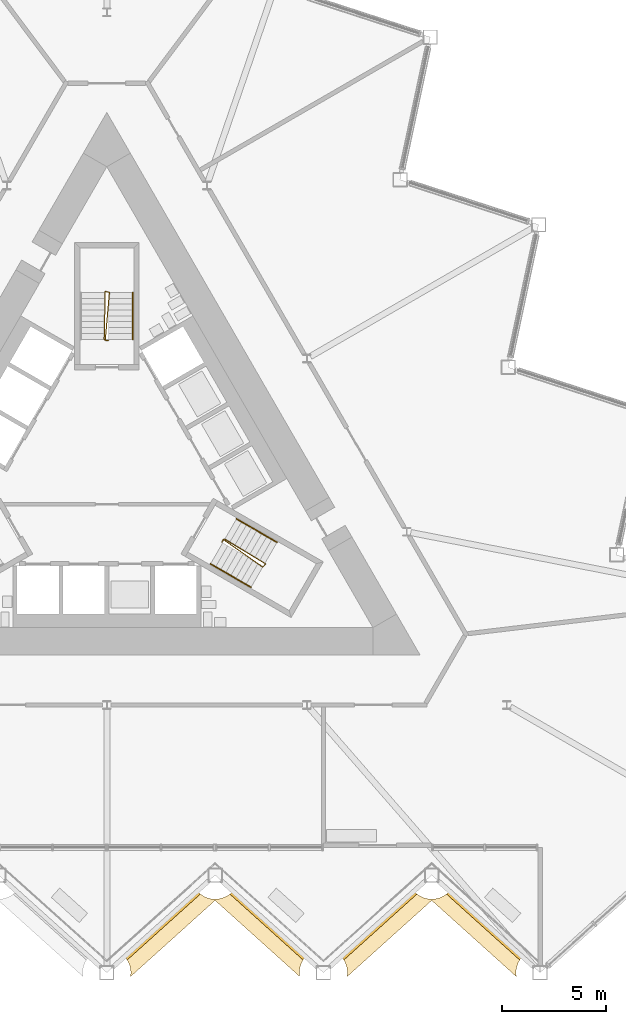
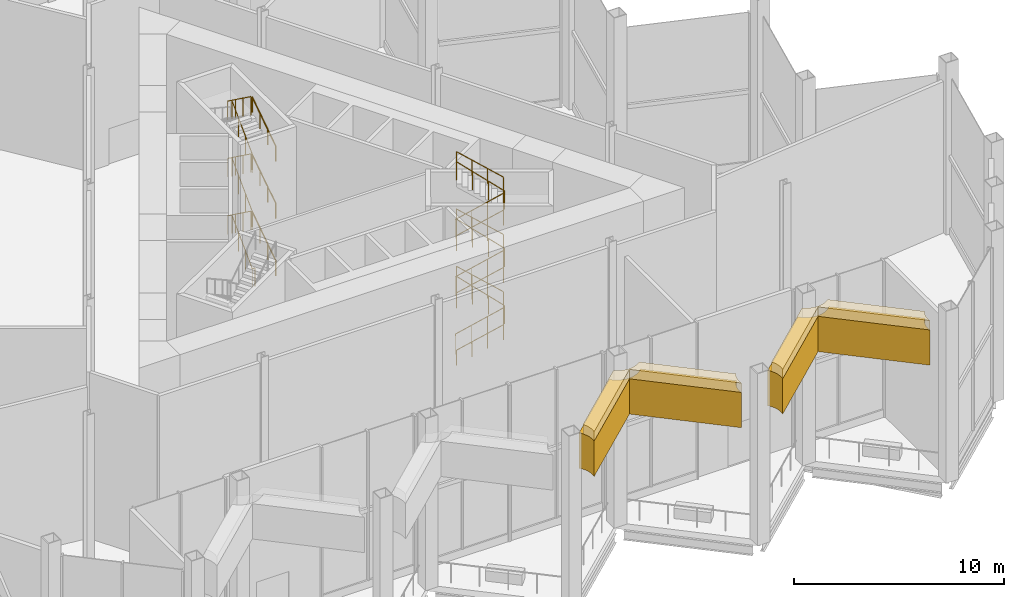
# One storey, part 15 of 17: 11 railings, 4 coverings.
"""IFC4 building model written with IfcOpenShell, lengths in metres."""

from ifc_helpers import new_model, si_unit, direction, frame, origin, origin_2d, place, context, subcontext, project, spatial, polyline, circle, outline, extrude, material, layer, layer_set, type_object, element, save


model = new_model("IFC4")

# Units and contexts
model_context = context("Model", 3, precision=1e-05, world=origin(), true_north=direction((0.0, 1.0)))
body_context = subcontext(model_context, "Body", "Model", "MODEL_VIEW")
ifc_project = project(units=[si_unit("LENGTHUNIT", "METRE"), si_unit("AREAUNIT", "SQUARE_METRE"), si_unit("VOLUMEUNIT", "CUBIC_METRE"), si_unit("PLANEANGLEUNIT", "RADIAN"), si_unit("MASSUNIT", "GRAM", prefix="KILO")], contexts=[model_context])

# Site, building, storey
site_placement = place(None, origin())
site = spatial("IfcSite", under=ifc_project, at=site_placement, CompositionType="ELEMENT")
building_placement = place(site_placement, origin())
building = spatial("IfcBuilding", under=site, at=building_placement, Name="Cormorant Prow Tower", CompositionType="ELEMENT")
storey_placement = place(building_placement, frame((0.0, 0.0, 277.800048828125)))
storey = spatial("IfcBuildingStorey", under=building, at=storey_placement, Name="L63", CompositionType="ELEMENT", Elevation=277.800048828125)

# Railings
ifc_material_1 = material(Name="Stainless steel", Category="steel")
railing_type_1 = type_object("IfcRailingType", Name="Stair guard 1100", PredefinedType="GUARDRAIL", material=ifc_material_1)
railing_1_placement = place(storey_placement, frame((5.510009765625, -3.267822265625, 0.0)))
element("IfcRailing", 1, at=railing_1_placement, inside=storey, type_object=railing_type_1, Name="L63 ST2 stair guard 1", PredefinedType="GUARDRAIL", context=body_context, shape_type="SweptSolid", body=[
    extrude(circle(Radius=0.02392578125, at=origin_2d()), frame((0.0, 0.0, 1.076171875), z_axis=(0.501036270542, 0.865426285481, 0.0), x_axis=(-0.865426285481, 0.501036270542, 0.0)), (0.0, 0.0, 1.0), 0.150146484375),
    extrude(circle(Radius=0.02392578125, at=origin_2d()), frame((0.0751953125, 0.1298828125, 1.076171875), z_axis=(0.663255151256, -0.464270006694, 0.586980378902), x_axis=(0.573455215813, 0.819236910458, 0.0)), (0.0, 0.0, 1.0), 2.839111328125),
    extrude(circle(Radius=0.02392578125, at=origin_2d()), frame((1.958251953125, -1.188232421875, 2.74267578125), z_axis=(0.695164929852, 0.718850276695, 0.0), x_axis=(-0.718850276695, 0.695164929852, 0.0)), (0.0, 0.0, 1.0), 0.2060546875),
    extrude(circle(Radius=0.02392578125, at=origin_2d()), frame((2.1015625, -1.0400390625, 2.74267578125), z_axis=(-0.69128044623, 0.419456667722, 0.588376961278), x_axis=(-0.518752825935, -0.854924268918, 0.0)), (0.0, 0.0, 1.0), 2.832763671875),
    extrude(circle(Radius=0.02392578125, at=origin_2d()), frame((0.143310546875, 0.148193359375, 4.4091796875), z_axis=(-0.965715946433, -0.259601060869, 0.0), x_axis=(0.259601060869, -0.965715946433, 0.0)), (0.0, 0.0, 1.0), 0.070556640625),
    extrude(circle(Radius=0.02392578125, at=origin_2d()), frame((0.0751953125, 0.1298828125, 4.4091796875), z_axis=(0.663221673184, -0.464246572478, 0.587036738341), x_axis=(0.573455215813, 0.819236910458, 0.0)), (0.0, 0.0, 1.0), 2.83935546875),
    extrude(circle(Radius=0.02392578125, at=origin_2d()), frame((1.958251953125, -1.188232421875, 6.076171875), z_axis=(0.695164929852, 0.718850276695, 0.0), x_axis=(-0.718850276695, 0.695164929852, 0.0)), (0.0, 0.0, 1.0), 0.2060546875),
    extrude(circle(Radius=0.02392578125, at=origin_2d()), frame((2.1015625, -1.0400390625, 6.076171875), z_axis=(-0.691315500176, 0.419477937833, 0.588320608927), x_axis=(-0.518752825935, -0.854924268918, 0.0)), (0.0, 0.0, 1.0), 2.832763671875),
    extrude(circle(Radius=0.02392578125, at=origin_2d()), frame((0.143310546875, 0.148193359375, 7.74267578125), z_axis=(-0.965715946433, -0.259601060869, 0.0), x_axis=(0.259601060869, -0.965715946433, 0.0)), (0.0, 0.0, 1.0), 0.070556640625),
    extrude(circle(Radius=0.02392578125, at=origin_2d()), frame((0.0751953125, 0.1298828125, 7.74267578125), z_axis=(0.663221673184, -0.464246572478, 0.587036738341), x_axis=(0.573455215813, 0.819236910458, 0.0)), (0.0, 0.0, 1.0), 2.83935546875),
    extrude(circle(Radius=0.02392578125, at=origin_2d()), frame((1.958251953125, -1.188232421875, 9.4091796875), z_axis=(0.695164929852, 0.718850276695, 0.0), x_axis=(-0.718850276695, 0.695164929852, 0.0)), (0.0, 0.0, 1.0), 0.2060546875),
    extrude(circle(Radius=0.02392578125, at=origin_2d()), frame((2.1015625, -1.0400390625, 9.4091796875), z_axis=(-0.69128044623, 0.419456667722, 0.588376961278), x_axis=(-0.518752825935, -0.854924268918, 0.0)), (0.0, 0.0, 1.0), 2.832763671875),
    extrude(circle(Radius=0.02099609375, at=origin_2d()), origin(), (0.0, 0.0, 1.0), 1.052001953125),
    extrude(circle(Radius=0.02099609375, at=origin_2d()), frame((0.0751953125, 0.1298828125, 0.0)), (0.0, 0.0, 1.0), 1.052001953125),
    extrude(circle(Radius=0.02099609375, at=origin_2d()), frame((0.702880859375, -0.3095703125, 0.555419921875)), (0.0, 0.0, 1.0), 1.052001953125),
    extrude(circle(Radius=0.02099609375, at=origin_2d()), frame((1.33056640625, -0.748779296875, 1.111083984375)), (0.0, 0.0, 1.0), 1.052001953125),
    extrude(circle(Radius=0.02099609375, at=origin_2d()), frame((1.958251953125, -1.188232421875, 1.66650390625)), (0.0, 0.0, 1.0), 1.052001953125),
    extrude(circle(Radius=0.02099609375, at=origin_2d()), frame((2.1015625, -1.0400390625, 1.66650390625)), (0.0, 0.0, 1.0), 1.052001953125),
    extrude(circle(Radius=0.02099609375, at=origin_2d()), frame((1.44873046875, -0.64404296875, 2.22216796875)), (0.0, 0.0, 1.0), 1.052001953125),
    extrude(circle(Radius=0.02099609375, at=origin_2d()), frame((0.796142578125, -0.247802734375, 2.777587890625)), (0.0, 0.0, 1.0), 1.052001953125),
    extrude(circle(Radius=0.02099609375, at=origin_2d()), frame((0.143310546875, 0.148193359375, 3.333251953125)), (0.0, 0.0, 1.0), 1.052001953125),
    extrude(circle(Radius=0.02099609375, at=origin_2d()), frame((0.0751953125, 0.1298828125, 3.333251953125)), (0.0, 0.0, 1.0), 1.052001953125),
    extrude(circle(Radius=0.02099609375, at=origin_2d()), frame((0.702880859375, -0.3095703125, 3.888916015625)), (0.0, 0.0, 1.0), 1.052001953125),
    extrude(circle(Radius=0.02099609375, at=origin_2d()), frame((1.33056640625, -0.748779296875, 4.4443359375)), (0.0, 0.0, 1.0), 1.052001953125),
    extrude(circle(Radius=0.02099609375, at=origin_2d()), frame((1.958251953125, -1.188232421875, 5.0)), (0.0, 0.0, 1.0), 1.052001953125),
    extrude(circle(Radius=0.02099609375, at=origin_2d()), frame((2.1015625, -1.0400390625, 5.0)), (0.0, 0.0, 1.0), 1.052001953125),
    extrude(circle(Radius=0.02099609375, at=origin_2d()), frame((1.44873046875, -0.64404296875, 5.555419921875)), (0.0, 0.0, 1.0), 1.052001953125),
    extrude(circle(Radius=0.02099609375, at=origin_2d()), frame((0.796142578125, -0.247802734375, 6.111083984375)), (0.0, 0.0, 1.0), 1.052001953125),
    extrude(circle(Radius=0.02099609375, at=origin_2d()), frame((0.143310546875, 0.148193359375, 6.66650390625)), (0.0, 0.0, 1.0), 1.052001953125),
    extrude(circle(Radius=0.02099609375, at=origin_2d()), frame((0.0751953125, 0.1298828125, 6.66650390625)), (0.0, 0.0, 1.0), 1.052001953125),
    extrude(circle(Radius=0.02099609375, at=origin_2d()), frame((0.702880859375, -0.3095703125, 7.22216796875)), (0.0, 0.0, 1.0), 1.052001953125),
    extrude(circle(Radius=0.02099609375, at=origin_2d()), frame((1.33056640625, -0.748779296875, 7.777587890625)), (0.0, 0.0, 1.0), 1.052001953125),
    extrude(circle(Radius=0.02099609375, at=origin_2d()), frame((1.958251953125, -1.188232421875, 8.333251953125)), (0.0, 0.0, 1.0), 1.052001953125),
    extrude(circle(Radius=0.02099609375, at=origin_2d()), frame((2.1015625, -1.0400390625, 8.333251953125)), (0.0, 0.0, 1.0), 1.052001953125),
    extrude(circle(Radius=0.02099609375, at=origin_2d()), frame((1.44873046875, -0.64404296875, 8.888916015625)), (0.0, 0.0, 1.0), 1.052001953125),
    extrude(circle(Radius=0.02099609375, at=origin_2d()), frame((0.796142578125, -0.247802734375, 9.4443359375)), (0.0, 0.0, 1.0), 1.052001953125),
    extrude(circle(Radius=0.02099609375, at=origin_2d()), frame((0.143310546875, 0.148193359375, 10.0)), (0.0, 0.0, 1.0), 1.052001953125),
])
railing_2_placement = place(storey_placement, frame((0.074951171875, 6.40576171875, 0.0)))
element("IfcRailing", 2, at=railing_2_placement, inside=storey, type_object=railing_type_1, Name="L63 ST3 stair guard 1", PredefinedType="GUARDRAIL", context=body_context, shape_type="SweptSolid", body=[
    extrude(circle(Radius=0.02392578125, at=origin_2d()), frame((0.0, 0.0, 1.076171875), z_axis=(-1.0, 0.0, 0.0), x_axis=(0.0, -1.0, 0.0)), (0.0, 0.0, 1.0), 0.14990234375),
    extrude(circle(Radius=0.02392578125, at=origin_2d()), frame((-0.14990234375, 0.0, 1.076171875), z_axis=(0.070423267043, 0.80655707553, 0.586946545583), x_axis=(-0.996209839609, 0.086982500921, 0.0)), (0.0, 0.0, 1.0), 2.83935546875),
    extrude(circle(Radius=0.02392578125, at=origin_2d()), frame((0.050048828125, 2.2900390625, 2.74267578125), z_axis=(-0.970072785993, 0.242814311512, 0.0), x_axis=(-0.242814311512, -0.970072785993, 0.0)), (0.0, 0.0, 1.0), 0.2060546875),
    extrude(circle(Radius=0.02392578125, at=origin_2d()), frame((-0.14990234375, 2.340087890625, 2.74267578125), z_axis=(-0.017667533181, -0.80839737189, 0.58837194647), x_axis=(0.999761264773, -0.0218497931, 0.0)), (0.0, 0.0, 1.0), 2.832763671875),
    extrude(circle(Radius=0.02392578125, at=origin_2d()), frame((-0.199951171875, 0.050048828125, 4.4091796875), z_axis=(0.707106781187, -0.707106781187, 0.0), x_axis=(0.707106781187, 0.707106781187, 0.0)), (0.0, 0.0, 1.0), 0.07080078125),
    extrude(circle(Radius=0.02392578125, at=origin_2d()), frame((-0.14990234375, 0.0, 4.4091796875), z_axis=(0.070419712809, 0.806516368928, 0.587002905189), x_axis=(-0.996209839609, 0.086982500921, 0.0)), (0.0, 0.0, 1.0), 2.83935546875),
    extrude(circle(Radius=0.02392578125, at=origin_2d()), frame((0.050048828125, 2.2900390625, 6.076171875), z_axis=(-0.970072785993, 0.242814311512, 0.0), x_axis=(-0.242814311512, -0.970072785993, 0.0)), (0.0, 0.0, 1.0), 0.2060546875),
    extrude(circle(Radius=0.02392578125, at=origin_2d()), frame((-0.14990234375, 2.340087890625, 6.076171875), z_axis=(-0.017668429064, -0.808438363986, 0.58831559409), x_axis=(0.999761264773, -0.0218497931, 0.0)), (0.0, 0.0, 1.0), 2.832763671875),
    extrude(circle(Radius=0.02392578125, at=origin_2d()), frame((-0.199951171875, 0.050048828125, 7.74267578125), z_axis=(0.707106781187, -0.707106781187, 0.0), x_axis=(0.707106781187, 0.707106781187, 0.0)), (0.0, 0.0, 1.0), 0.07080078125),
    extrude(circle(Radius=0.02392578125, at=origin_2d()), frame((-0.14990234375, 0.0, 7.74267578125), z_axis=(0.070419712809, 0.806516368928, 0.587002905189), x_axis=(-0.996209839609, 0.086982500921, 0.0)), (0.0, 0.0, 1.0), 2.83935546875),
    extrude(circle(Radius=0.02392578125, at=origin_2d()), frame((0.050048828125, 2.2900390625, 9.4091796875), z_axis=(-0.970072785993, 0.242814311512, 0.0), x_axis=(-0.242814311512, -0.970072785993, 0.0)), (0.0, 0.0, 1.0), 0.2060546875),
    extrude(circle(Radius=0.02392578125, at=origin_2d()), frame((-0.14990234375, 2.340087890625, 9.4091796875), z_axis=(-0.017667533181, -0.80839737189, 0.58837194647), x_axis=(0.999761264773, -0.0218497931, 0.0)), (0.0, 0.0, 1.0), 2.832763671875),
    extrude(circle(Radius=0.02099609375, at=origin_2d()), origin(), (0.0, 0.0, 1.0), 1.052001953125),
    extrude(circle(Radius=0.02099609375, at=origin_2d()), frame((-0.14990234375, 0.0, 0.0)), (0.0, 0.0, 1.0), 1.052001953125),
    extrude(circle(Radius=0.02099609375, at=origin_2d()), frame((-0.083251953125, 0.763427734375, 0.555419921875)), (0.0, 0.0, 1.0), 1.052001953125),
    extrude(circle(Radius=0.02099609375, at=origin_2d()), frame((-0.0166015625, 1.526611328125, 1.111083984375)), (0.0, 0.0, 1.0), 1.052001953125),
    extrude(circle(Radius=0.02099609375, at=origin_2d()), frame((0.050048828125, 2.2900390625, 1.66650390625)), (0.0, 0.0, 1.0), 1.052001953125),
    extrude(circle(Radius=0.02099609375, at=origin_2d()), frame((-0.14990234375, 2.340087890625, 1.66650390625)), (0.0, 0.0, 1.0), 1.052001953125),
    extrude(circle(Radius=0.02099609375, at=origin_2d()), frame((-0.16650390625, 1.57666015625, 2.22216796875)), (0.0, 0.0, 1.0), 1.052001953125),
    extrude(circle(Radius=0.02099609375, at=origin_2d()), frame((-0.183349609375, 0.8134765625, 2.777587890625)), (0.0, 0.0, 1.0), 1.052001953125),
    extrude(circle(Radius=0.02099609375, at=origin_2d()), frame((-0.199951171875, 0.050048828125, 3.333251953125)), (0.0, 0.0, 1.0), 1.052001953125),
    extrude(circle(Radius=0.02099609375, at=origin_2d()), frame((-0.14990234375, 0.0, 3.333251953125)), (0.0, 0.0, 1.0), 1.052001953125),
    extrude(circle(Radius=0.02099609375, at=origin_2d()), frame((-0.083251953125, 0.763427734375, 3.888916015625)), (0.0, 0.0, 1.0), 1.052001953125),
    extrude(circle(Radius=0.02099609375, at=origin_2d()), frame((-0.0166015625, 1.526611328125, 4.4443359375)), (0.0, 0.0, 1.0), 1.052001953125),
    extrude(circle(Radius=0.02099609375, at=origin_2d()), frame((0.050048828125, 2.2900390625, 5.0)), (0.0, 0.0, 1.0), 1.052001953125),
    extrude(circle(Radius=0.02099609375, at=origin_2d()), frame((-0.14990234375, 2.340087890625, 5.0)), (0.0, 0.0, 1.0), 1.052001953125),
    extrude(circle(Radius=0.02099609375, at=origin_2d()), frame((-0.16650390625, 1.57666015625, 5.555419921875)), (0.0, 0.0, 1.0), 1.052001953125),
    extrude(circle(Radius=0.02099609375, at=origin_2d()), frame((-0.183349609375, 0.8134765625, 6.111083984375)), (0.0, 0.0, 1.0), 1.052001953125),
    extrude(circle(Radius=0.02099609375, at=origin_2d()), frame((-0.199951171875, 0.050048828125, 6.66650390625)), (0.0, 0.0, 1.0), 1.052001953125),
    extrude(circle(Radius=0.02099609375, at=origin_2d()), frame((-0.14990234375, 0.0, 6.66650390625)), (0.0, 0.0, 1.0), 1.052001953125),
    extrude(circle(Radius=0.02099609375, at=origin_2d()), frame((-0.083251953125, 0.763427734375, 7.22216796875)), (0.0, 0.0, 1.0), 1.052001953125),
    extrude(circle(Radius=0.02099609375, at=origin_2d()), frame((-0.0166015625, 1.526611328125, 7.777587890625)), (0.0, 0.0, 1.0), 1.052001953125),
    extrude(circle(Radius=0.02099609375, at=origin_2d()), frame((0.050048828125, 2.2900390625, 8.333251953125)), (0.0, 0.0, 1.0), 1.052001953125),
    extrude(circle(Radius=0.02099609375, at=origin_2d()), frame((-0.14990234375, 2.340087890625, 8.333251953125)), (0.0, 0.0, 1.0), 1.052001953125),
    extrude(circle(Radius=0.02099609375, at=origin_2d()), frame((-0.16650390625, 1.57666015625, 8.888916015625)), (0.0, 0.0, 1.0), 1.052001953125),
    extrude(circle(Radius=0.02099609375, at=origin_2d()), frame((-0.183349609375, 0.8134765625, 9.4443359375)), (0.0, 0.0, 1.0), 1.052001953125),
    extrude(circle(Radius=0.02099609375, at=origin_2d()), frame((-0.199951171875, 0.050048828125, 10.0)), (0.0, 0.0, 1.0), 1.052001953125),
])
ifc_material_2 = material(Name="Stainless steel", Category="steel")
railing_type_2 = type_object("IfcRailingType", Name="Stair handrail 900", PredefinedType="HANDRAIL", material=ifc_material_2)
railing_3_placement = place(storey_placement, frame((4.968994140625, -4.30517578125, 0.18505859375)))
element("IfcRailing", 3, at=railing_3_placement, inside=storey, type_object=railing_type_2, Name="L63 ST2 stair handrail 1", PredefinedType="HANDRAIL", context=body_context, shape_type="SweptSolid", body=[
    extrude(circle(Radius=0.02392578125, at=origin_2d()), frame((0.0, 0.0, 0.8759765625), z_axis=(0.72229244732, -0.417102296828, 0.551651424838), x_axis=(0.500077830873, 0.865980463445, 0.0)), (0.0, 0.0, 1.0), 2.685546875),
    extrude(circle(Radius=0.02099609375, at=origin_2d()), origin(), (0.0, 0.0, 1.0), 0.851806640625),
    extrude(circle(Radius=0.02099609375, at=origin_2d()), frame((0.646484375, -0.373291015625, 0.493896484375)), (0.0, 0.0, 1.0), 0.851806640625),
    extrude(circle(Radius=0.02099609375, at=origin_2d()), frame((1.293212890625, -0.746826171875, 0.987548828125)), (0.0, 0.0, 1.0), 0.851806640625),
    extrude(circle(Radius=0.02099609375, at=origin_2d()), frame((1.939697265625, -1.1201171875, 1.4814453125)), (0.0, 0.0, 1.0), 0.851806640625),
])
railing_4_placement = place(storey_placement, frame((8.15283203125, -3.2705078125, 1.851806640625)))
element("IfcRailing", 4, at=railing_4_placement, inside=storey, type_object=railing_type_2, Name="L63 ST2 stair handrail 2", PredefinedType="HANDRAIL", context=body_context, shape_type="SweptSolid", body=[
    extrude(circle(Radius=0.02392578125, at=origin_2d()), frame((0.0, 0.0, 0.8759765625), z_axis=(-0.722363311002, 0.416999812178, 0.551636115172), x_axis=(-0.49994888933, -0.866054910533, 0.0)), (0.0, 0.0, 1.0), 2.685546875),
    extrude(circle(Radius=0.02099609375, at=origin_2d()), origin(), (0.0, 0.0, 1.0), 0.851806640625),
    extrude(circle(Radius=0.02099609375, at=origin_2d()), frame((-0.646728515625, 0.373291015625, 0.493896484375)), (0.0, 0.0, 1.0), 0.851806640625),
    extrude(circle(Radius=0.02099609375, at=origin_2d()), frame((-1.293212890625, 0.74658203125, 0.987548828125)), (0.0, 0.0, 1.0), 0.851806640625),
    extrude(circle(Radius=0.02099609375, at=origin_2d()), frame((-1.93994140625, 1.119873046875, 1.4814453125)), (0.0, 0.0, 1.0), 0.851806640625),
])
railing_5_placement = place(storey_placement, frame((4.968994140625, -4.30517578125, 3.5185546875)))
element("IfcRailing", 5, at=railing_5_placement, inside=storey, type_object=railing_type_2, Name="L63 ST2 stair handrail 3", PredefinedType="HANDRAIL", context=body_context, shape_type="SweptSolid", body=[
    extrude(circle(Radius=0.02392578125, at=origin_2d()), frame((0.0, 0.0, 0.8759765625), z_axis=(0.72229244732, -0.417102296828, 0.551651424838), x_axis=(0.500077830873, 0.865980463445, 0.0)), (0.0, 0.0, 1.0), 2.685546875),
    extrude(circle(Radius=0.02099609375, at=origin_2d()), origin(), (0.0, 0.0, 1.0), 0.851806640625),
    extrude(circle(Radius=0.02099609375, at=origin_2d()), frame((0.646484375, -0.373291015625, 0.493896484375)), (0.0, 0.0, 1.0), 0.851806640625),
    extrude(circle(Radius=0.02099609375, at=origin_2d()), frame((1.293212890625, -0.746826171875, 0.987548828125)), (0.0, 0.0, 1.0), 0.851806640625),
    extrude(circle(Radius=0.02099609375, at=origin_2d()), frame((1.939697265625, -1.1201171875, 1.4814453125)), (0.0, 0.0, 1.0), 0.851806640625),
])
railing_6_placement = place(storey_placement, frame((8.15283203125, -3.2705078125, 5.18505859375)))
element("IfcRailing", 6, at=railing_6_placement, inside=storey, type_object=railing_type_2, Name="L63 ST2 stair handrail 4", PredefinedType="HANDRAIL", context=body_context, shape_type="SweptSolid", body=[
    extrude(circle(Radius=0.02392578125, at=origin_2d()), frame((0.0, 0.0, 0.8759765625), z_axis=(-0.722363311002, 0.416999812178, 0.551636115172), x_axis=(-0.49994888933, -0.866054910533, 0.0)), (0.0, 0.0, 1.0), 2.685546875),
    extrude(circle(Radius=0.02099609375, at=origin_2d()), origin(), (0.0, 0.0, 1.0), 0.851806640625),
    extrude(circle(Radius=0.02099609375, at=origin_2d()), frame((-0.646728515625, 0.373291015625, 0.493896484375)), (0.0, 0.0, 1.0), 0.851806640625),
    extrude(circle(Radius=0.02099609375, at=origin_2d()), frame((-1.293212890625, 0.74658203125, 0.987548828125)), (0.0, 0.0, 1.0), 0.851806640625),
    extrude(circle(Radius=0.02099609375, at=origin_2d()), frame((-1.93994140625, 1.119873046875, 1.4814453125)), (0.0, 0.0, 1.0), 0.851806640625),
])
railing_7_placement = place(storey_placement, frame((4.968994140625, -4.30517578125, 6.851806640625)))
element("IfcRailing", 7, at=railing_7_placement, inside=storey, type_object=railing_type_2, Name="L63 ST2 stair handrail 5", PredefinedType="HANDRAIL", context=body_context, shape_type="SweptSolid", body=[
    extrude(circle(Radius=0.02392578125, at=origin_2d()), frame((0.0, 0.0, 0.8759765625), z_axis=(0.72229244732, -0.417102296828, 0.551651424838), x_axis=(0.500077830873, 0.865980463445, 0.0)), (0.0, 0.0, 1.0), 2.685546875),
    extrude(circle(Radius=0.02099609375, at=origin_2d()), origin(), (0.0, 0.0, 1.0), 0.851806640625),
    extrude(circle(Radius=0.02099609375, at=origin_2d()), frame((0.646484375, -0.373291015625, 0.493896484375)), (0.0, 0.0, 1.0), 0.851806640625),
    extrude(circle(Radius=0.02099609375, at=origin_2d()), frame((1.293212890625, -0.746826171875, 0.987548828125)), (0.0, 0.0, 1.0), 0.851806640625),
    extrude(circle(Radius=0.02099609375, at=origin_2d()), frame((1.939697265625, -1.1201171875, 1.4814453125)), (0.0, 0.0, 1.0), 0.851806640625),
])
railing_8_placement = place(storey_placement, frame((8.15283203125, -3.2705078125, 8.5185546875)))
element("IfcRailing", 8, at=railing_8_placement, inside=storey, type_object=railing_type_2, Name="L63 ST2 stair handrail 6", PredefinedType="HANDRAIL", context=body_context, shape_type="SweptSolid", body=[
    extrude(circle(Radius=0.02392578125, at=origin_2d()), frame((0.0, 0.0, 0.8759765625), z_axis=(-0.722363311002, 0.416999812178, 0.551636115172), x_axis=(-0.49994888933, -0.866054910533, 0.0)), (0.0, 0.0, 1.0), 2.685546875),
    extrude(circle(Radius=0.02099609375, at=origin_2d()), origin(), (0.0, 0.0, 1.0), 0.851806640625),
    extrude(circle(Radius=0.02099609375, at=origin_2d()), frame((-0.646728515625, 0.373291015625, 0.493896484375)), (0.0, 0.0, 1.0), 0.851806640625),
    extrude(circle(Radius=0.02099609375, at=origin_2d()), frame((-1.293212890625, 0.74658203125, 0.987548828125)), (0.0, 0.0, 1.0), 0.851806640625),
    extrude(circle(Radius=0.02099609375, at=origin_2d()), frame((-1.93994140625, 1.119873046875, 1.4814453125)), (0.0, 0.0, 1.0), 0.851806640625),
])
for number, where, name in (
    (9, (1.243896484375, 6.455810546875, 0.18505859375), "L63 ST3 stair handrail 1"),
    (10, (1.243896484375, 6.455810546875, 3.5185546875), "L63 ST3 stair handrail 3"),
    (11, (1.243896484375, 6.455810546875, 6.851806640625), "L63 ST3 stair handrail 5"),
):
    element("IfcRailing", number, at=place(storey_placement, frame(where)), inside=storey, type_object=railing_type_2, Name=name, PredefinedType="HANDRAIL", context=body_context, shape_type="SweptSolid", body=[
        extrude(circle(Radius=0.02392578125, at=origin_2d()), frame((0.0, 0.0, 0.8759765625), z_axis=(0.0, 0.83408660425, 0.551633516577), x_axis=(-1.0, 0.0, 0.0)), (0.0, 0.0, 1.0), 2.685546875),
        extrude(circle(Radius=0.02099609375, at=origin_2d()), origin(), (0.0, 0.0, 1.0), 0.851806640625),
        extrude(circle(Radius=0.02099609375, at=origin_2d()), frame((0.0, 0.74658203125, 0.493896484375)), (0.0, 0.0, 1.0), 0.851806640625),
        extrude(circle(Radius=0.02099609375, at=origin_2d()), frame((0.0, 1.493408203125, 0.987548828125)), (0.0, 0.0, 1.0), 0.851806640625),
        extrude(circle(Radius=0.02099609375, at=origin_2d()), frame((0.0, 2.239990234375, 1.4814453125)), (0.0, 0.0, 1.0), 0.851806640625),
    ])

# Coverings
ifc_material_3 = material(Name="Terracotta", Category="masonry")
ifc_layer = layer(ifc_material_3, 0.89990234375)
ifc_layer_set = layer_set([ifc_layer], Name="Terracotta")
covering_type = type_object("IfcCoveringType", Name="Terrace lintel fascia 900", PredefinedType="CLADDING", material=ifc_layer_set)
covering_1_placement = place(storey_placement, frame((0.0, 0.0, 7.050048828125)))
element("IfcCovering", 12, at=covering_1_placement, inside=storey, type_object=covering_type, Name="Terrace lintel L63", PredefinedType="CLADDING", context=body_context, shape_type="SweptSolid", body=[
    extrude(outline(polyline([(4.334716796875, -19.98388671875), (4.375, -20.028564453125), (4.458740234375, -20.1044921875), (4.54931640625, -20.171630859375), (4.64599609375, -20.2294921875), (4.748291015625, -20.27783203125), (4.8544921875, -20.31591796875), (4.9638671875, -20.34326171875), (5.075439453125, -20.35986328125), (5.188232421875, -20.365478515625), (5.301025390625, -20.35986328125), (5.41259765625, -20.34326171875), (5.522216796875, -20.31591796875), (5.62841796875, -20.27783203125), (5.730224609375, -20.2294921875), (5.8271484375, -20.171630859375), (5.917724609375, -20.1044921875), (6.00146484375, -20.028564453125), (6.041748046875, -19.98388671875), (9.52294921875, -23.118408203125), (9.487548828125, -23.157470703125), (9.42041015625, -23.248046875), (9.3623046875, -23.3447265625), (9.31396484375, -23.44677734375), (9.27587890625, -23.552978515625), (9.24853515625, -23.66259765625), (9.23193359375, -23.774169921875), (9.2265625, -23.886962890625), (9.23193359375, -23.99951171875), (9.24365234375, -24.077880859375), (5.188232421875, -20.426513671875), (1.1328125, -24.077880859375), (1.14453125, -23.99951171875), (1.14990234375, -23.886962890625), (1.14453125, -23.774169921875), (1.1279296875, -23.66259765625), (1.1005859375, -23.552978515625), (1.0625, -23.44677734375), (1.01416015625, -23.3447265625), (0.956298828125, -23.248046875), (0.888916015625, -23.157470703125), (0.853515625, -23.118408203125), (4.334716796875, -19.98388671875)])), origin(), (0.0, 0.0, 1.0), 2.05078125),
])
covering_2_placement = place(storey_placement, frame((0.0, 0.0, 7.050048828125)))
element("IfcCovering", 13, at=covering_2_placement, inside=storey, type_object=covering_type, Name="Terrace lintel L63 part 4", PredefinedType="CLADDING", context=body_context, shape_type="SweptSolid", body=[
    extrude(outline(polyline([(14.711181640625, -19.98388671875), (14.75146484375, -20.028564453125), (14.835205078125, -20.1044921875), (14.92578125, -20.171630859375), (15.022705078125, -20.2294921875), (15.12451171875, -20.27783203125), (15.23095703125, -20.31591796875), (15.34033203125, -20.34326171875), (15.451904296875, -20.35986328125), (15.564697265625, -20.365478515625), (15.677490234375, -20.35986328125), (15.7890625, -20.34326171875), (15.8984375, -20.31591796875), (16.0048828125, -20.27783203125), (16.106689453125, -20.2294921875), (16.20361328125, -20.171630859375), (16.294189453125, -20.1044921875), (16.3779296875, -20.028564453125), (16.418212890625, -19.98388671875), (19.8994140625, -23.118408203125), (19.864013671875, -23.157470703125), (19.796875, -23.248046875), (19.73876953125, -23.3447265625), (19.6904296875, -23.44677734375), (19.652587890625, -23.552978515625), (19.625, -23.66259765625), (19.6083984375, -23.774169921875), (19.60302734375, -23.886962890625), (19.6083984375, -23.99951171875), (19.6201171875, -24.077880859375), (15.564697265625, -20.426513671875), (11.50927734375, -24.077880859375), (11.52099609375, -23.99951171875), (11.526611328125, -23.886962890625), (11.52099609375, -23.774169921875), (11.50439453125, -23.66259765625), (11.47705078125, -23.552978515625), (11.43896484375, -23.44677734375), (11.390625, -23.3447265625), (11.332763671875, -23.248046875), (11.265380859375, -23.157470703125), (11.22998046875, -23.118408203125), (14.711181640625, -19.98388671875)])), origin(), (0.0, 0.0, 1.0), 2.05078125),
])
covering_3_placement = place(storey_placement, frame((0.0, 0.0, 9.100830078125)))
element("IfcCovering", 14, at=covering_3_placement, inside=storey, type_object=covering_type, Name="Terrace lintel L63 head", PredefinedType="CLADDING", context=body_context, shape_type="SweptSolid", body=[
    extrude(outline(polyline([(14.92578125, -20.171630859375), (15.022705078125, -20.2294921875), (15.12451171875, -20.27783203125), (15.23095703125, -20.31591796875), (15.34033203125, -20.34326171875), (15.451904296875, -20.35986328125), (15.564697265625, -20.365478515625), (15.677490234375, -20.35986328125), (15.7890625, -20.34326171875), (15.8984375, -20.31591796875), (16.0048828125, -20.27783203125), (16.106689453125, -20.2294921875), (16.20361328125, -20.171630859375), (16.271728515625, -20.12109375), (19.7783203125, -23.278564453125), (19.73876953125, -23.3447265625), (19.6904296875, -23.44677734375), (19.652587890625, -23.552978515625), (19.625, -23.66259765625), (19.6083984375, -23.774169921875), (19.60302734375, -23.886962890625), (19.6083984375, -23.99951171875), (19.6201171875, -24.077880859375), (15.564697265625, -20.426513671875), (11.50927734375, -24.077880859375), (11.52099609375, -23.99951171875), (11.526611328125, -23.886962890625), (11.52099609375, -23.774169921875), (11.50439453125, -23.66259765625), (11.47705078125, -23.552978515625), (11.43896484375, -23.44677734375), (11.390625, -23.3447265625), (11.35107421875, -23.278564453125), (14.857666015625, -20.12109375), (14.92578125, -20.171630859375)])), origin(), (0.0, 0.0, 1.0), 0.549072265625),
])
covering_4_placement = place(storey_placement, frame((0.0, 0.0, 9.100830078125)))
element("IfcCovering", 15, at=covering_4_placement, inside=storey, type_object=covering_type, Name="Terrace lintel L63 head part 4", PredefinedType="CLADDING", context=body_context, shape_type="SweptSolid", body=[
    extrude(outline(polyline([(4.54931640625, -20.171630859375), (4.64599609375, -20.2294921875), (4.748291015625, -20.27783203125), (4.8544921875, -20.31591796875), (4.9638671875, -20.34326171875), (5.075439453125, -20.35986328125), (5.188232421875, -20.365478515625), (5.301025390625, -20.35986328125), (5.41259765625, -20.34326171875), (5.522216796875, -20.31591796875), (5.62841796875, -20.27783203125), (5.730224609375, -20.2294921875), (5.8271484375, -20.171630859375), (5.895263671875, -20.12109375), (9.402099609375, -23.278564453125), (9.3623046875, -23.3447265625), (9.31396484375, -23.44677734375), (9.27587890625, -23.552978515625), (9.24853515625, -23.66259765625), (9.23193359375, -23.774169921875), (9.2265625, -23.886962890625), (9.23193359375, -23.99951171875), (9.24365234375, -24.077880859375), (5.188232421875, -20.426513671875), (1.1328125, -24.077880859375), (1.14453125, -23.99951171875), (1.14990234375, -23.886962890625), (1.14453125, -23.774169921875), (1.1279296875, -23.66259765625), (1.1005859375, -23.552978515625), (1.0625, -23.44677734375), (1.01416015625, -23.3447265625), (0.974609375, -23.278564453125), (4.481201171875, -20.12109375), (4.54931640625, -20.171630859375)])), origin(), (0.0, 0.0, 1.0), 0.549072265625),
])

save(model, "model.ifc")
